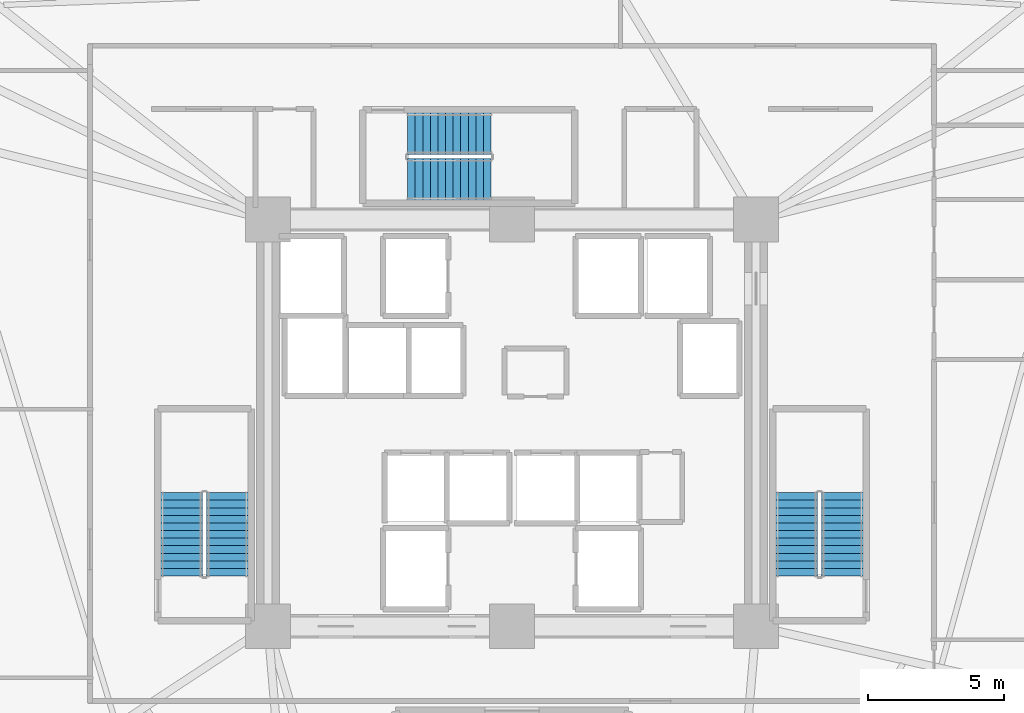
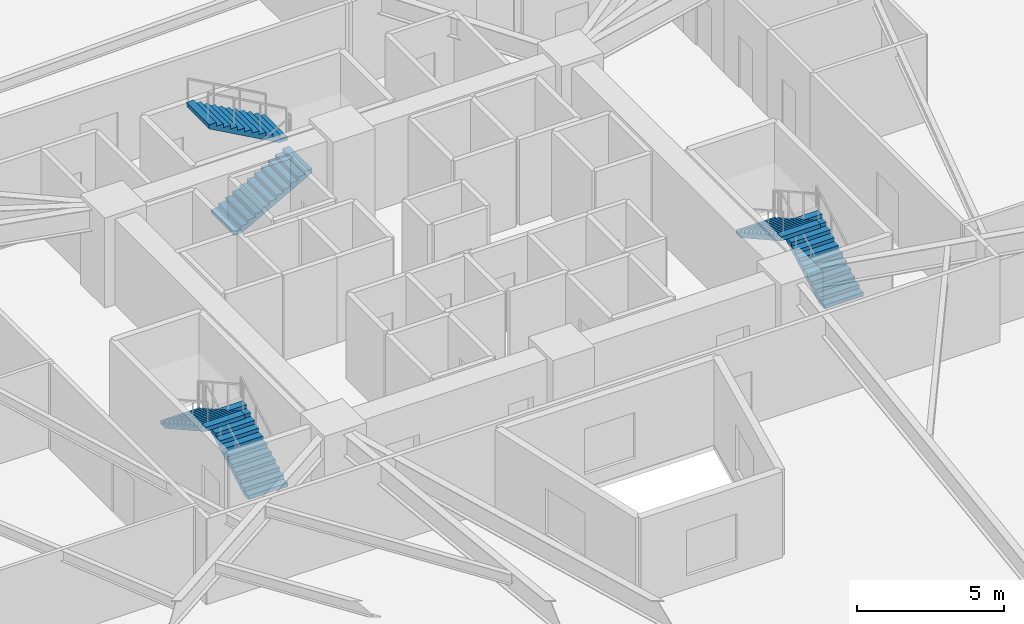
# One storey, part 7 of 8: 6 stair flights, 3 elements without a shape of their own.
"""IFC4 building model written with IfcOpenShell, lengths in metres."""

from ifc_helpers import new_model, si_unit, direction, frame, origin, place, context, subcontext, project, spatial, polyline, outline, extrude, material, type_object, element, aggregate, save


model = new_model("IFC4")

# Units and contexts
model_context = context("Model", 3, precision=1e-05, world=origin(), true_north=direction((0.0, 1.0)))
body_context = subcontext(model_context, "Body", "Model", "MODEL_VIEW")
ifc_project = project(units=[si_unit("LENGTHUNIT", "METRE"), si_unit("AREAUNIT", "SQUARE_METRE"), si_unit("VOLUMEUNIT", "CUBIC_METRE"), si_unit("PLANEANGLEUNIT", "RADIAN"), si_unit("MASSUNIT", "GRAM", prefix="KILO")], contexts=[model_context])

# Site, building, storey
site_placement = place(None, origin())
site = spatial("IfcSite", under=ifc_project, at=site_placement, CompositionType="ELEMENT")
building_placement = place(site_placement, origin())
building = spatial("IfcBuilding", under=site, at=building_placement, Name="Liaohun Quay Tower", CompositionType="ELEMENT")
storey_placement = place(building_placement, frame((0.0, 0.0, 70.5)))
storey = spatial("IfcBuildingStorey", under=building, at=storey_placement, Name="L18", CompositionType="ELEMENT", Elevation=70.5)

# Stair, stair flights
ifc_material = material(Name="Concrete C45", Category="concrete")
stair_type = type_object("IfcStairType", Name="STR-CORE-OFF", PredefinedType="HALF_TURN_STAIR", material=ifc_material)
stair_1_placement = place(storey_placement, origin())
stair_1 = element("IfcStair", 1, at=stair_1_placement, inside=storey, type_object=stair_type, Name="L18 Smokeproof Core Exit Stair ST-1", PredefinedType="HALF_TURN_STAIR")
stair_flight_type = type_object("IfcStairFlightType", Name="FLT-CORE-155", PredefinedType="STRAIGHT", material=ifc_material)
stair_flight_1_placement = place(storey_placement, frame((49.5048828125, 48.35009765625, 0.0), z_axis=(0.0, 0.0, 1.0), x_axis=(0.0, 1.0, 0.0)))
stair_flight_1 = element("IfcStairFlight", 2, at=stair_flight_1_placement, type_object=stair_flight_type, Name="ST-1 flight 1", NumberOfRisers=12, NumberOfTreads=11, PredefinedType="STRAIGHT", RiserHeight=0.15625, TreadLength=0.28, context=body_context, shape_type="SweptSolid", body=[
    extrude(outline(polyline([(0.0, 0.0), (0.0, 0.15625), (0.280029296875, 0.15625), (0.280029296875, 0.3125), (0.56005859375, 0.3125), (0.56005859375, 0.46875), (0.840087890625, 0.46875), (0.840087890625, 0.625), (1.1201171875, 0.625), (1.1201171875, 0.78125), (1.39990234375, 0.78125), (1.39990234375, 0.9375), (1.679931640625, 0.9375), (1.679931640625, 1.09375), (1.9599609375, 1.09375), (1.9599609375, 1.25), (2.239990234375, 1.25), (2.239990234375, 1.40625), (2.52001953125, 1.40625), (2.52001953125, 1.5625), (2.800048828125, 1.5625), (2.800048828125, 1.71875), (3.080078125, 1.71875), (3.080078125, 1.875), (3.080078125, 1.547119140625), (0.3076171875, 0.0), (0.0, 0.0)])), frame((0.0, 0.77490234375, 0.0), z_axis=(0.0, -1.0, 0.0), x_axis=(1.0, 0.0, 0.0)), (0.0, 0.0, 1.0), 1.550048828125),
])
stair_flight_2_placement = place(storey_placement, frame((47.81494140625, 51.429931640625, 1.875), z_axis=(0.0, 0.0, 1.0), x_axis=(0.0, -1.0, 0.0)))
stair_flight_2 = element("IfcStairFlight", 3, at=stair_flight_2_placement, type_object=stair_flight_type, Name="ST-1 flight 2", NumberOfRisers=12, NumberOfTreads=11, PredefinedType="STRAIGHT", RiserHeight=0.15625, TreadLength=0.28, context=body_context, shape_type="SweptSolid", body=[
    extrude(outline(polyline([(0.0, 0.0), (0.0, 0.15625), (0.280029296875, 0.15625), (0.280029296875, 0.3125), (0.56005859375, 0.3125), (0.56005859375, 0.46875), (0.840087890625, 0.46875), (0.840087890625, 0.625), (1.1201171875, 0.625), (1.1201171875, 0.78125), (1.39990234375, 0.78125), (1.39990234375, 0.9375), (1.679931640625, 0.9375), (1.679931640625, 1.09375), (1.9599609375, 1.09375), (1.9599609375, 1.25), (2.239990234375, 1.25), (2.239990234375, 1.40625), (2.52001953125, 1.40625), (2.52001953125, 1.5625), (2.800048828125, 1.5625), (2.800048828125, 1.71875), (3.080078125, 1.71875), (3.080078125, 1.875), (3.080078125, 1.547119140625), (0.3076171875, 0.0), (0.0, 0.0)])), frame((0.0, 0.77490234375, 0.0), z_axis=(0.0, -1.0, 0.0), x_axis=(1.0, 0.0, 0.0)), (0.0, 0.0, 1.0), 1.550048828125),
])
aggregate(stair_1, [stair_flight_1, stair_flight_2])

stair_2_placement = place(storey_placement, origin())
stair_2 = element("IfcStair", 4, at=stair_2_placement, inside=storey, type_object=stair_type, Name="L18 Smokeproof Core Exit Stair ST-2", PredefinedType="HALF_TURN_STAIR")
stair_flight_3_placement = place(storey_placement, frame((72.18505859375, 48.35009765625, 0.0), z_axis=(0.0, 0.0, 1.0), x_axis=(0.0, 1.0, 0.0)))
stair_flight_3 = element("IfcStairFlight", 5, at=stair_flight_3_placement, type_object=stair_flight_type, Name="ST-2 flight 1", NumberOfRisers=12, NumberOfTreads=11, PredefinedType="STRAIGHT", RiserHeight=0.15625, TreadLength=0.28, context=body_context, shape_type="SweptSolid", body=[
    extrude(outline(polyline([(0.0, 0.0), (0.0, 0.15625), (0.280029296875, 0.15625), (0.280029296875, 0.3125), (0.56005859375, 0.3125), (0.56005859375, 0.46875), (0.840087890625, 0.46875), (0.840087890625, 0.625), (1.1201171875, 0.625), (1.1201171875, 0.78125), (1.39990234375, 0.78125), (1.39990234375, 0.9375), (1.679931640625, 0.9375), (1.679931640625, 1.09375), (1.9599609375, 1.09375), (1.9599609375, 1.25), (2.239990234375, 1.25), (2.239990234375, 1.40625), (2.52001953125, 1.40625), (2.52001953125, 1.5625), (2.800048828125, 1.5625), (2.800048828125, 1.71875), (3.080078125, 1.71875), (3.080078125, 1.875), (3.080078125, 1.547119140625), (0.3076171875, 0.0), (0.0, 0.0)])), frame((0.0, 0.77490234375, 0.0), z_axis=(0.0, -1.0, 0.0), x_axis=(1.0, 0.0, 0.0)), (0.0, 0.0, 1.0), 1.550048828125),
])
stair_flight_4_placement = place(storey_placement, frame((70.4951171875, 51.429931640625, 1.875), z_axis=(0.0, 0.0, 1.0), x_axis=(0.0, -1.0, 0.0)))
stair_flight_4 = element("IfcStairFlight", 6, at=stair_flight_4_placement, type_object=stair_flight_type, Name="ST-2 flight 2", NumberOfRisers=12, NumberOfTreads=11, PredefinedType="STRAIGHT", RiserHeight=0.15625, TreadLength=0.28, context=body_context, shape_type="SweptSolid", body=[
    extrude(outline(polyline([(0.0, 0.0), (0.0, 0.15625), (0.280029296875, 0.15625), (0.280029296875, 0.3125), (0.56005859375, 0.3125), (0.56005859375, 0.46875), (0.840087890625, 0.46875), (0.840087890625, 0.625), (1.1201171875, 0.625), (1.1201171875, 0.78125), (1.39990234375, 0.78125), (1.39990234375, 0.9375), (1.679931640625, 0.9375), (1.679931640625, 1.09375), (1.9599609375, 1.09375), (1.9599609375, 1.25), (2.239990234375, 1.25), (2.239990234375, 1.40625), (2.52001953125, 1.40625), (2.52001953125, 1.5625), (2.800048828125, 1.5625), (2.800048828125, 1.71875), (3.080078125, 1.71875), (3.080078125, 1.875), (3.080078125, 1.547119140625), (0.3076171875, 0.0), (0.0, 0.0)])), frame((0.0, 0.77490234375, 0.0), z_axis=(0.0, -1.0, 0.0), x_axis=(1.0, 0.0, 0.0)), (0.0, 0.0, 1.0), 1.550048828125),
])
aggregate(stair_2, [stair_flight_3, stair_flight_4])

stair_3_placement = place(storey_placement, origin())
stair_3 = element("IfcStair", 7, at=stair_3_placement, inside=storey, type_object=stair_type, Name="L18 Smokeproof Core Exit Stair ST-3", PredefinedType="HALF_TURN_STAIR")
stair_flight_5_placement = place(storey_placement, frame((56.14990234375, 62.97509765625, 0.0), z_axis=(0.0, 0.0, 1.0), x_axis=(1.0, 0.0, 0.0)))
stair_flight_5 = element("IfcStairFlight", 8, at=stair_flight_5_placement, type_object=stair_flight_type, Name="ST-3 flight 1", NumberOfRisers=12, NumberOfTreads=11, PredefinedType="STRAIGHT", RiserHeight=0.15625, TreadLength=0.28, context=body_context, shape_type="SweptSolid", body=[
    extrude(outline(polyline([(0.0, 0.0), (0.0, 0.15625), (0.280029296875, 0.15625), (0.280029296875, 0.3125), (0.56005859375, 0.3125), (0.56005859375, 0.46875), (0.840087890625, 0.46875), (0.840087890625, 0.625), (1.1201171875, 0.625), (1.1201171875, 0.78125), (1.39990234375, 0.78125), (1.39990234375, 0.9375), (1.679931640625, 0.9375), (1.679931640625, 1.09375), (1.9599609375, 1.09375), (1.9599609375, 1.25), (2.239990234375, 1.25), (2.239990234375, 1.40625), (2.52001953125, 1.40625), (2.52001953125, 1.5625), (2.800048828125, 1.5625), (2.800048828125, 1.71875), (3.080078125, 1.71875), (3.080078125, 1.875), (3.080078125, 1.547119140625), (0.3076171875, 0.0), (0.0, 0.0)])), frame((0.0, 0.77490234375, 0.0), z_axis=(0.0, -1.0, 0.0), x_axis=(1.0, 0.0, 0.0)), (0.0, 0.0, 1.0), 1.550048828125),
])
stair_flight_6_placement = place(storey_placement, frame((59.22998046875, 64.6650390625, 1.875), z_axis=(0.0, 0.0, 1.0), x_axis=(-1.0, 0.0, 0.0)))
stair_flight_6 = element("IfcStairFlight", 9, at=stair_flight_6_placement, type_object=stair_flight_type, Name="ST-3 flight 2", NumberOfRisers=12, NumberOfTreads=11, PredefinedType="STRAIGHT", RiserHeight=0.15625, TreadLength=0.28, context=body_context, shape_type="SweptSolid", body=[
    extrude(outline(polyline([(0.0, 0.0), (0.0, 0.15625), (0.280029296875, 0.15625), (0.280029296875, 0.3125), (0.56005859375, 0.3125), (0.56005859375, 0.46875), (0.840087890625, 0.46875), (0.840087890625, 0.625), (1.1201171875, 0.625), (1.1201171875, 0.78125), (1.39990234375, 0.78125), (1.39990234375, 0.9375), (1.679931640625, 0.9375), (1.679931640625, 1.09375), (1.9599609375, 1.09375), (1.9599609375, 1.25), (2.239990234375, 1.25), (2.239990234375, 1.40625), (2.52001953125, 1.40625), (2.52001953125, 1.5625), (2.800048828125, 1.5625), (2.800048828125, 1.71875), (3.080078125, 1.71875), (3.080078125, 1.875), (3.080078125, 1.547119140625), (0.3076171875, 0.0), (0.0, 0.0)])), frame((0.0, 0.77490234375, 0.0), z_axis=(0.0, -1.0, 0.0), x_axis=(1.0, 0.0, 0.0)), (0.0, 0.0, 1.0), 1.550048828125),
])
aggregate(stair_3, [stair_flight_5, stair_flight_6])

save(model, "model.ifc")
